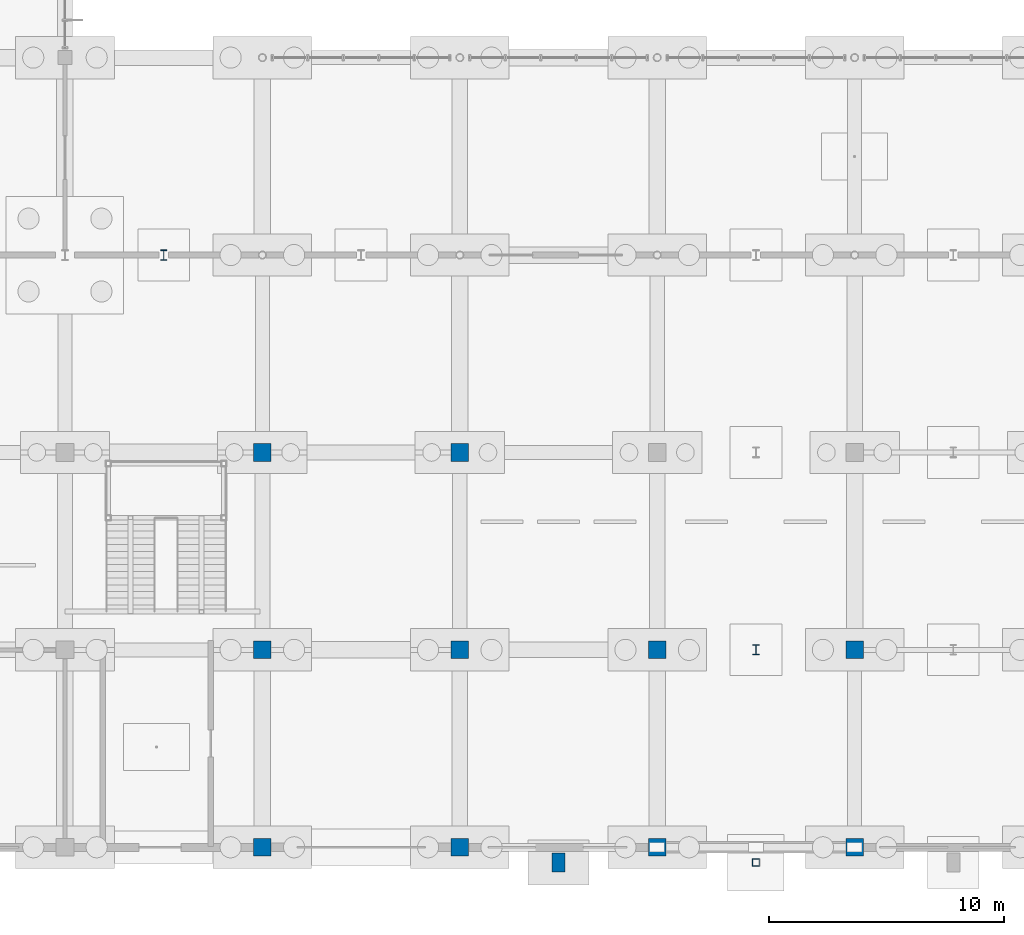
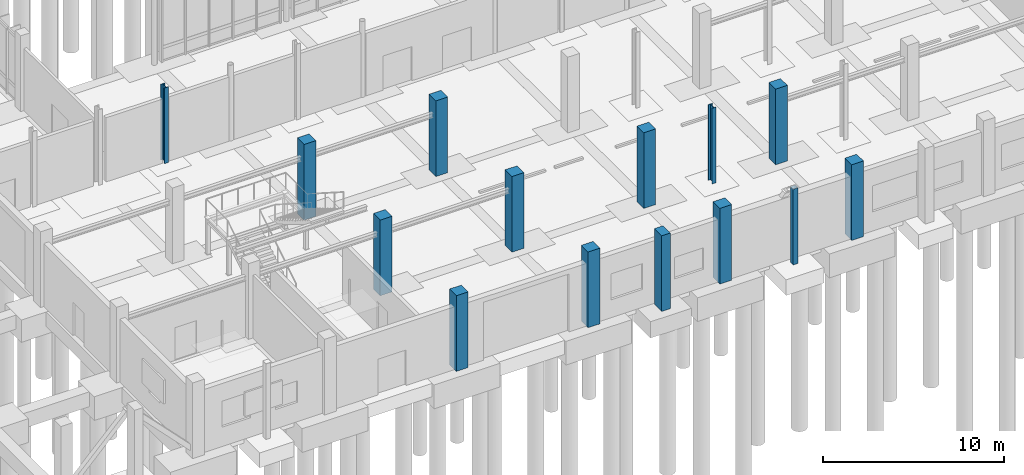
# One storey, part 13 of 119: 14 columns.
"""IFC4 building model written with IfcOpenShell, lengths in metres."""

from ifc_helpers import new_model, si_unit, derived_unit, direction, frame, origin, origin_2d, place, context, subcontext, project, spatial, rectangle, hollow_rectangle, i_section, extrude, material, material_profile, profile_set, type_object, element, save


model = new_model("IFC4")

# Units and contexts
model_context = context("Model", 3, precision=1e-05, world=origin(), true_north=direction((0.0, 1.0)))
body_context = subcontext(model_context, "Body", "Model", "MODEL_VIEW")
ifc_project = project(units=[si_unit("LENGTHUNIT", "METRE"), si_unit("AREAUNIT", "SQUARE_METRE"), si_unit("VOLUMEUNIT", "CUBIC_METRE"), si_unit("PLANEANGLEUNIT", "RADIAN"), si_unit("MASSUNIT", "GRAM", prefix="KILO"), derived_unit("THERMALTRANSMITTANCEUNIT", [(si_unit("MASSUNIT", "GRAM", prefix="KILO"), 1), (si_unit("TIMEUNIT", "SECOND"), -3), (si_unit("THERMODYNAMICTEMPERATUREUNIT", "KELVIN"), -1)])], contexts=[model_context])

# Site, building, storey
site_placement = place(None, origin())
site = spatial("IfcSite", under=ifc_project, at=site_placement, CompositionType="ELEMENT")
building_placement = place(site_placement, origin())
building = spatial("IfcBuilding", under=site, at=building_placement, Name="Makaiwela Harbour Ferry Terminal", CompositionType="ELEMENT")
storey_placement = place(building_placement, origin())
storey = spatial("IfcBuildingStorey", under=building, at=storey_placement, Name="L00", CompositionType="ELEMENT", Elevation=0.0)

# Columns
ifc_material_1 = material(Name="Concrete f'c 45 MPa (6500 psi)", Category="concrete")
ifc_material_profile_1 = material_profile(ifc_material_1, rectangle(XDim=0.75, YDim=0.75, at=origin_2d()), Name="RC-750X750")
ifc_profile_set_1 = profile_set([ifc_material_profile_1], Name="Concrete f'c 45 MPa (6500 psi)")
column_type_1 = type_object("IfcColumnType", Name="STR-COL-RC750", PredefinedType="COLUMN", material=ifc_profile_set_1)
for number, where, z_axis, x_axis, name in (
    (1, (79.800048828125, 0.0, 0.0), (0.0, 0.0, 1.0), (1.0, 0.0, 0.0), "Structural Column C-08"),
    (2, (79.800048828125, 8.39990234375, 0.0), (0.0, 0.0, 1.0), (1.0, 0.0, 0.0), "Structural Column C-08"),
    (3, (79.800048828125, 16.800048828125, 0.0), (0.0, 0.0, 1.0), (1.0, 0.0, 0.0), "Structural Column C-08"),
    (4, (88.199951171875, 0.0, 0.0), (0.0, 0.0, 1.0), (1.0, 0.0, 0.0), "Structural Column C-08"),
    (5, (88.199951171875, 8.39990234375, 0.0), (0.0, 0.0, 1.0), (1.0, 0.0, 0.0), "Structural Column C-08"),
    (6, (88.199951171875, 16.800048828125, 0.0), (0.0, 0.0, 1.0), (1.0, 0.0, 0.0), "Structural Column C-08"),
    (7, (96.60009765625, 0.0, 0.0), (0.0, 0.0, 1.0), (1.0, 0.0, 0.0), "Structural Column C-08"),
    (8, (96.60009765625, 8.39990234375, 0.0), (0.0, 0.0, 1.0), (1.0, 0.0, 0.0), "Structural Column C-08"),
    (9, (105.0, 0.0, 0.0), (0.0, 0.0, 1.0), (1.0, 0.0, 0.0), "Structural Column C-08"),
    (10, (105.0, 8.39990234375, 0.0), (0.0, 0.0, 1.0), (1.0, 0.0, 0.0), "Structural Column C-08"),
):
    element("IfcColumn", number, at=place(storey_placement, frame(where, z_axis=z_axis, x_axis=x_axis)), inside=storey, type_object=column_type_1, Name=name, PredefinedType="COLUMN", context=body_context, shape_type="SweptSolid", body=[
        extrude(rectangle(XDim=0.75, YDim=0.75, at=origin_2d()), origin(), (0.0, 0.0, 1.0), 5.10009765625),
    ])
ifc_material_2 = material(Name="Steel ASTM A992 Grade 50", Category="steel")
ifc_material_profile_2 = material_profile(ifc_material_2, i_section(OverallWidth=0.264892578125, OverallDepth=0.430908203125, WebThickness=0.014892578125, FlangeThickness=0.02490234375, at=origin_2d()), Name="W16X100")
ifc_profile_set_2 = profile_set([ifc_material_profile_2], Name="Steel ASTM A992 Grade 50")
column_type_2 = type_object("IfcColumnType", Name="STR-COL-W16X100", PredefinedType="COLUMN", material=ifc_profile_set_2)
for number, where, z_axis, x_axis, name in (
    (11, (75.60009765625, 25.199951171875, 0.0), (0.0, 0.0, 1.0), (1.0, 0.0, 0.0), "Structural Column C-03"),
    (12, (100.800048828125, 8.39990234375, 0.0), (0.0, 0.0, 1.0), (1.0, 0.0, 0.0), "Structural Column C-03"),
):
    element("IfcColumn", number, at=place(storey_placement, frame(where, z_axis=z_axis, x_axis=x_axis)), inside=storey, type_object=column_type_2, Name=name, PredefinedType="COLUMN", context=body_context, shape_type="SweptSolid", body=[
        extrude(i_section(OverallWidth=0.264892578125, OverallDepth=0.430908203125, WebThickness=0.014892578125, FlangeThickness=0.02490234375, at=origin_2d()), origin(), (0.0, 0.0, 1.0), 5.10009765625),
    ])
ifc_material_3 = material(Name="Steel ASTM A500 Grade C", Category="steel")
ifc_material_profile_3 = material_profile(ifc_material_3, hollow_rectangle(XDim=0.304931640625, YDim=0.304931640625, WallThickness=0.0146484375, at=origin_2d()), Name="HSS12X12X5/8")
ifc_profile_set_3 = profile_set([ifc_material_profile_3], Name="Steel ASTM A500 Grade C")
column_type_3 = type_object("IfcColumnType", Name="STR-PIL-HSS12", PredefinedType="PILASTER", material=ifc_profile_set_3)
column_1_placement = place(storey_placement, frame((100.800048828125, -0.64990234375, 0.0), z_axis=(0.0, 0.0, 1.0), x_axis=(1.0, 0.0, 0.0)))
element("IfcColumn", 13, at=column_1_placement, inside=storey, type_object=column_type_3, Name="Structural Column PL-02", PredefinedType="PILASTER", context=body_context, shape_type="SweptSolid", body=[
    extrude(hollow_rectangle(XDim=0.304931640625, YDim=0.304931640625, WallThickness=0.0146484375, at=origin_2d()), origin(), (0.0, 0.0, 1.0), 5.10009765625),
])
ifc_material_profile_4 = material_profile(ifc_material_1, rectangle(XDim=0.550048828125, YDim=0.800048828125, at=origin_2d()), Name="RC-800X550")
ifc_profile_set_4 = profile_set([ifc_material_profile_4], Name="Concrete f'c 45 MPa (6500 psi)")
column_type_4 = type_object("IfcColumnType", Name="STR-PIL-RC800", PredefinedType="PILASTER", material=ifc_profile_set_4)
column_2_placement = place(storey_placement, frame((92.39990234375, -0.64990234375, 0.0), z_axis=(0.0, 0.0, 1.0), x_axis=(1.0, 0.0, 0.0)))
element("IfcColumn", 14, at=column_2_placement, inside=storey, type_object=column_type_4, Name="Structural Column PL-01", PredefinedType="PILASTER", context=body_context, shape_type="SweptSolid", body=[
    extrude(rectangle(XDim=0.550048828125, YDim=0.800048828125, at=origin_2d()), origin(), (0.0, 0.0, 1.0), 5.10009765625),
])

save(model, "model.ifc")
